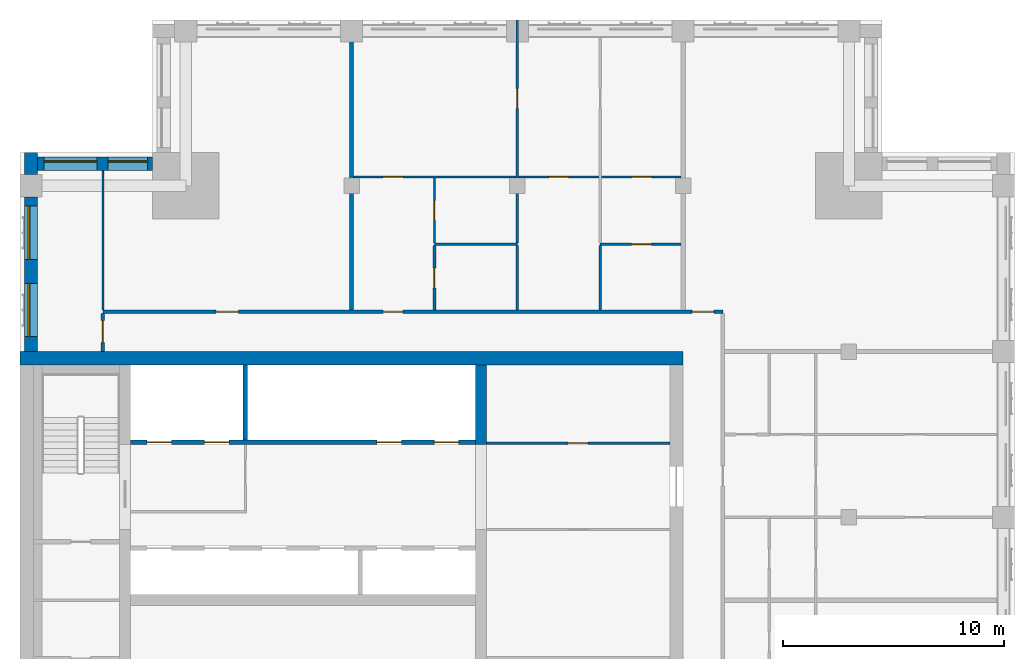
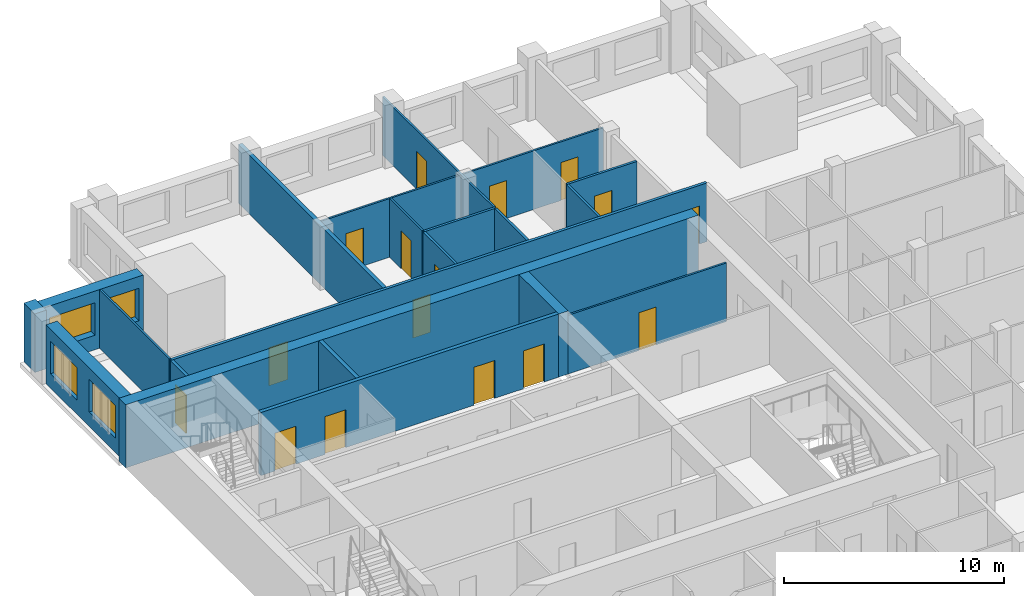
# One storey, part 6 of 10: 20 walls, 16 doors, 4 windows, 20 openings.
"""IFC4 building model written with IfcOpenShell, lengths in metres."""

from ifc_helpers import new_model, si_unit, direction, frame, frame_2d, origin, place, context, subcontext, project, spatial, rectangle, extrude, material, layer, layer_set, type_object, element, fill, save


model = new_model("IFC4")

# Units and contexts
model_context = context("Model", 3, precision=1e-05, world=origin(), true_north=direction((0.0, 1.0)))
body_context = subcontext(model_context, "Body", "Model", "MODEL_VIEW")
ifc_project = project(units=[si_unit("LENGTHUNIT", "METRE"), si_unit("AREAUNIT", "SQUARE_METRE"), si_unit("VOLUMEUNIT", "CUBIC_METRE"), si_unit("PLANEANGLEUNIT", "RADIAN"), si_unit("MASSUNIT", "GRAM", prefix="KILO")], contexts=[model_context])

# Site, building, storey
site_placement = place(None, origin())
site = spatial("IfcSite", under=ifc_project, at=site_placement, CompositionType="ELEMENT")
building_placement = place(site_placement, origin())
building = spatial("IfcBuilding", under=site, at=building_placement, Name="Tamorin Gate", CompositionType="ELEMENT")
storey_placement = place(building_placement, frame((0.0, 0.0, 269.699951171875)))
storey = spatial("IfcBuildingStorey", under=building, at=storey_placement, Name="L67", CompositionType="ELEMENT", Elevation=269.699951171875)

# Wall, openings, windows
ifc_material_1 = material(Name="Precast concrete C40/50", Category="concrete")
ifc_layer_1 = layer(ifc_material_1, 0.60009765625)
ifc_layer_set_1 = layer_set([ifc_layer_1], Name="Precast concrete C40/50")
wall_type_1 = type_object("IfcWallType", Name="Board-marked concrete facade panel 600", PredefinedType="SOLIDWALL", material=ifc_layer_set_1)
wall_1_placement = place(storey_placement, frame((36.0, 91.0, 0.0), z_axis=(0.0, 0.0, 1.0), x_axis=(-1.0, 0.0, 0.0)))
wall_1 = element("IfcWall", 1, at=wall_1_placement, inside=storey, type_object=wall_type_1, Name="Facade panel", PredefinedType="SOLIDWALL", context=body_context, shape_type="SweptSolid", body=[
    extrude(rectangle(XDim=5.199951171875, YDim=0.60009765625, at=frame_2d((2.60009765625, 0.0))), origin(), (0.0, 0.0, 1.0), 3.25),
])
opening_1_placement = place(wall_1_placement, frame((2.52490234375, 0.0, 0.800048828125)))
opening_1 = element("IfcOpeningElement", 2, at=opening_1_placement, cuts=wall_1, Name="Opening WN1", PredefinedType="OPENING", context=body_context, shape_type="SweptSolid", body=[
    extrude(rectangle(XDim=2.39990234375, YDim=1.800048828125, at=frame_2d((1.199951171875, 0.89990234375))), frame((0.0, 0.31005859375, 0.0), z_axis=(0.0, -1.0, 0.0), x_axis=(1.0, 0.0, 0.0)), (0.0, 0.0, 1.0), 0.6201171875),
])
opening_2_placement = place(wall_1_placement, frame((0.22509765625, 0.0, 0.800048828125)))
opening_2 = element("IfcOpeningElement", 3, at=opening_2_placement, cuts=wall_1, Name="Opening WN2", PredefinedType="OPENING", context=body_context, shape_type="SweptSolid", body=[
    extrude(rectangle(XDim=1.800048828125, YDim=1.800048828125, at=frame_2d((0.89990234375, 0.89990234375))), frame((0.0, 0.31005859375, 0.0), z_axis=(0.0, -1.0, 0.0), x_axis=(1.0, 0.0, 0.0)), (0.0, 0.0, 1.0), 0.6201171875),
])
ifc_material_2 = material(Name="Clear glass in aluminium frame", Category="aluminium")
window_type_1 = type_object("IfcWindowType", Name="Deep-set window 1800x1800", PartitioningType="SINGLE_PANEL", PredefinedType="WINDOW", material=ifc_material_2)
window_1_placement = place(opening_2_placement, origin())
window_1 = element("IfcWindow", 4, at=window_1_placement, inside=storey, type_object=window_type_1, Name="Deep-set window", OverallHeight=1.800048828125, OverallWidth=1.800048828125, PartitioningType="SINGLE_PANEL", PredefinedType="WINDOW", context=body_context, shape_type="SweptSolid", body=[
    extrude(rectangle(XDim=1.800048828125, YDim=1.800048828125, at=frame_2d((0.89990234375, 0.89990234375))), frame((0.0, -0.070068359375, 0.0), z_axis=(0.0, -1.0, 0.0), x_axis=(1.0, 0.0, 0.0)), (0.0, 0.0, 1.0), 0.06005859375),
])
fill(opening_2, window_1)
window_type_2 = type_object("IfcWindowType", Name="Deep-set window 2400x1800", PartitioningType="SINGLE_PANEL", PredefinedType="WINDOW", material=ifc_material_2)
window_2_placement = place(opening_1_placement, origin())
window_2 = element("IfcWindow", 5, at=window_2_placement, inside=storey, type_object=window_type_2, Name="Deep-set window", OverallHeight=1.800048828125, OverallWidth=2.39990234375, PartitioningType="SINGLE_PANEL", PredefinedType="WINDOW", context=body_context, shape_type="SweptSolid", body=[
    extrude(rectangle(XDim=2.39990234375, YDim=1.800048828125, at=frame_2d((1.199951171875, 0.89990234375))), frame((0.0, -0.070068359375, 0.0), z_axis=(0.0, -1.0, 0.0), x_axis=(1.0, 0.0, 0.0)), (0.0, 0.0, 1.0), 0.06005859375),
])
fill(opening_1, window_2)

# Wall
wall_2_placement = place(storey_placement, frame((30.5, 91.5, 0.0), z_axis=(0.0, 0.0, 1.0), x_axis=(0.0, -1.0, 0.0)))
element("IfcWall", 6, at=wall_2_placement, inside=storey, type_object=wall_type_1, Name="Facade panel", PredefinedType="SOLIDWALL", context=body_context, shape_type="SweptSolid", body=[
    extrude(rectangle(XDim=1.0, YDim=0.60009765625, at=frame_2d((0.5, 0.0))), origin(), (0.0, 0.0, 1.0), 3.25),
])

# Wall, openings, windows
wall_3_placement = place(storey_placement, frame((30.5, 89.5, 0.0), z_axis=(0.0, 0.0, 1.0), x_axis=(0.0, -1.0, 0.0)))
wall_3 = element("IfcWall", 7, at=wall_3_placement, inside=storey, type_object=wall_type_1, Name="Facade panel", PredefinedType="SOLIDWALL", context=body_context, shape_type="SweptSolid", body=[
    extrude(rectangle(XDim=7.0, YDim=0.60009765625, at=frame_2d((3.5, 0.0))), origin(), (0.0, 0.0, 1.0), 3.25),
])
opening_3_placement = place(wall_3_placement, frame((3.925048828125, 0.0, 0.800048828125)))
opening_3 = element("IfcOpeningElement", 8, at=opening_3_placement, cuts=wall_3, Name="Opening WN1", PredefinedType="OPENING", context=body_context, shape_type="SweptSolid", body=[
    extrude(rectangle(XDim=2.39990234375, YDim=1.800048828125, at=frame_2d((1.199951171875, 0.89990234375))), frame((0.0, 0.31005859375, 0.0), z_axis=(0.0, -1.0, 0.0), x_axis=(1.0, 0.0, 0.0)), (0.0, 0.0, 1.0), 0.6201171875),
])
opening_4_placement = place(wall_3_placement, frame((0.425048828125, 0.0, 0.800048828125)))
opening_4 = element("IfcOpeningElement", 9, at=opening_4_placement, cuts=wall_3, Name="Opening WN1", PredefinedType="OPENING", context=body_context, shape_type="SweptSolid", body=[
    extrude(rectangle(XDim=2.39990234375, YDim=1.800048828125, at=frame_2d((1.199951171875, 0.89990234375))), frame((0.0, 0.31005859375, 0.0), z_axis=(0.0, -1.0, 0.0), x_axis=(1.0, 0.0, 0.0)), (0.0, 0.0, 1.0), 0.6201171875),
])
window_3_placement = place(opening_3_placement, origin())
window_3 = element("IfcWindow", 10, at=window_3_placement, inside=storey, type_object=window_type_2, Name="Deep-set window", OverallHeight=1.800048828125, OverallWidth=2.39990234375, PartitioningType="SINGLE_PANEL", PredefinedType="WINDOW", context=body_context, shape_type="SweptSolid", body=[
    extrude(rectangle(XDim=2.39990234375, YDim=1.800048828125, at=frame_2d((1.199951171875, 0.89990234375))), frame((0.0, -0.070068359375, 0.0), z_axis=(0.0, -1.0, 0.0), x_axis=(1.0, 0.0, 0.0)), (0.0, 0.0, 1.0), 0.06005859375),
])
fill(opening_3, window_3)
window_4_placement = place(opening_4_placement, origin())
window_4 = element("IfcWindow", 11, at=window_4_placement, inside=storey, type_object=window_type_2, Name="Deep-set window", OverallHeight=1.800048828125, OverallWidth=2.39990234375, PartitioningType="SINGLE_PANEL", PredefinedType="WINDOW", context=body_context, shape_type="SweptSolid", body=[
    extrude(rectangle(XDim=2.39990234375, YDim=1.800048828125, at=frame_2d((1.199951171875, 0.89990234375))), frame((0.0, -0.070068359375, 0.0), z_axis=(0.0, -1.0, 0.0), x_axis=(1.0, 0.0, 0.0)), (0.0, 0.0, 1.0), 0.06005859375),
])
fill(opening_4, window_4)

# Wall, openings, doors
ifc_material_3 = material(Name="Gypsum board partition")
ifc_layer_2 = layer(ifc_material_3, 0.14990234375)
ifc_layer_set_2 = layer_set([ifc_layer_2], Name="Corridor wall 150")
wall_type_2 = type_object("IfcWallType", Name="Corridor wall 150", PredefinedType="PARTITIONING", material=ifc_layer_set_2)
wall_4_placement = place(storey_placement, frame((33.75, 84.300048828125, 0.0), z_axis=(0.0, 0.0, 1.0), x_axis=(1.0, 0.0, 0.0)))
wall_4 = element("IfcWall", 12, at=wall_4_placement, inside=storey, type_object=wall_type_2, Name="Corridor wall 150", PredefinedType="PARTITIONING", context=body_context, shape_type="SweptSolid", body=[
    extrude(rectangle(XDim=28.050048828125, YDim=0.14990234375, at=frame_2d((14.02490234375, 0.0))), origin(), (0.0, 0.0, 1.0), 3.25),
])
opening_5_placement = place(wall_4_placement, frame((5.125, 0.0, 0.0)))
opening_5 = element("IfcOpeningElement", 13, at=opening_5_placement, cuts=wall_4, Name="Opening DR9018", PredefinedType="OPENING", context=body_context, shape_type="SweptSolid", body=[
    extrude(rectangle(XDim=1.0, YDim=2.10009765625, at=frame_2d((0.5, 1.050048828125))), frame((0.0, 0.0849609375, 0.0), z_axis=(0.0, -1.0, 0.0), x_axis=(1.0, 0.0, 0.0)), (0.0, 0.0, 1.0), 0.169921875),
])
opening_6_placement = place(wall_4_placement, frame((12.675048828125, 0.0, 0.0)))
opening_6 = element("IfcOpeningElement", 14, at=opening_6_placement, cuts=wall_4, Name="Opening DR9019", PredefinedType="OPENING", context=body_context, shape_type="SweptSolid", body=[
    extrude(rectangle(XDim=0.89990234375, YDim=2.10009765625, at=frame_2d((0.449951171875, 1.050048828125))), frame((0.0, 0.0849609375, 0.0), z_axis=(0.0, -1.0, 0.0), x_axis=(1.0, 0.0, 0.0)), (0.0, 0.0, 1.0), 0.169921875),
])
opening_7_placement = place(wall_4_placement, frame((26.64990234375, 0.0, 0.0)))
opening_7 = element("IfcOpeningElement", 15, at=opening_7_placement, cuts=wall_4, Name="Opening DR9028", PredefinedType="OPENING", context=body_context, shape_type="SweptSolid", body=[
    extrude(rectangle(XDim=1.0, YDim=2.10009765625, at=frame_2d((0.5, 1.050048828125))), frame((0.0, 0.0849609375, 0.0), z_axis=(0.0, -1.0, 0.0), x_axis=(1.0, 0.0, 0.0)), (0.0, 0.0, 1.0), 0.169921875),
])
ifc_material_4 = material(Name="Timber door leaf", Category="wood")
door_type_1 = type_object("IfcDoorType", Name="Door 1000 x 2100 FD30S", OperationType="NOTDEFINED", PredefinedType="DOOR", material=ifc_material_4)
door_1_placement = place(opening_5_placement, origin())
door_1 = element("IfcDoor", 16, at=door_1_placement, inside=storey, type_object=door_type_1, Name="Door DR9018", OperationType="SINGLE_SWING_LEFT", OverallHeight=2.10009765625, OverallWidth=1.0, PredefinedType="DOOR", context=body_context, shape_type="SweptSolid", body=[
    extrude(rectangle(XDim=1.0, YDim=2.10009765625, at=frame_2d((0.5, 1.050048828125))), frame((0.0, 0.02490234375, 0.0), z_axis=(0.0, -1.0, 0.0), x_axis=(1.0, 0.0, 0.0)), (0.0, 0.0, 1.0), 0.050048828125),
])
fill(opening_5, door_1)
door_2_placement = place(opening_7_placement, origin())
door_2 = element("IfcDoor", 17, at=door_2_placement, inside=storey, type_object=door_type_1, Name="Door DR9028", OperationType="SINGLE_SWING_LEFT", OverallHeight=2.10009765625, OverallWidth=1.0, PredefinedType="DOOR", context=body_context, shape_type="SweptSolid", body=[
    extrude(rectangle(XDim=1.0, YDim=2.10009765625, at=frame_2d((0.5, 1.050048828125))), frame((0.0, 0.02490234375, 0.0), z_axis=(0.0, -1.0, 0.0), x_axis=(1.0, 0.0, 0.0)), (0.0, 0.0, 1.0), 0.050048828125),
])
fill(opening_7, door_2)
door_type_2 = type_object("IfcDoorType", Name="Door 900 x 2100 FD30S", OperationType="NOTDEFINED", PredefinedType="DOOR", material=ifc_material_4)
door_3_placement = place(opening_6_placement, origin())
door_3 = element("IfcDoor", 18, at=door_3_placement, inside=storey, type_object=door_type_2, Name="Door DR9019", OperationType="SINGLE_SWING_LEFT", OverallHeight=2.10009765625, OverallWidth=0.89990234375, PredefinedType="DOOR", context=body_context, shape_type="SweptSolid", body=[
    extrude(rectangle(XDim=0.89990234375, YDim=2.10009765625, at=frame_2d((0.449951171875, 1.050048828125))), frame((0.0, 0.02490234375, 0.0), z_axis=(0.0, -1.0, 0.0), x_axis=(1.0, 0.0, 0.0)), (0.0, 0.0, 1.0), 0.050048828125),
])
fill(opening_6, door_3)

# Wall, opening, door
wall_5_placement = place(storey_placement, frame((33.75, 82.5, 0.0), z_axis=(0.0, 0.0, 1.0), x_axis=(0.0, 1.0, 0.0)))
wall_5 = element("IfcWall", 19, at=wall_5_placement, inside=storey, type_object=wall_type_2, Name="Corridor wall 150", PredefinedType="PARTITIONING", context=body_context, shape_type="SweptSolid", body=[
    extrude(rectangle(XDim=1.72509765625, YDim=0.14990234375, at=frame_2d((0.862548828125, 0.0))), origin(), (0.0, 0.0, 1.0), 3.25),
])
opening_8_placement = place(wall_5_placement, frame((0.39990234375, 0.0, 0.0)))
opening_8 = element("IfcOpeningElement", 20, at=opening_8_placement, cuts=wall_5, Name="Opening DR9017", PredefinedType="OPENING", context=body_context, shape_type="SweptSolid", body=[
    extrude(rectangle(XDim=1.0, YDim=2.10009765625, at=frame_2d((0.5, 1.050048828125))), frame((0.0, 0.0849609375, 0.0), z_axis=(0.0, -1.0, 0.0), x_axis=(1.0, 0.0, 0.0)), (0.0, 0.0, 1.0), 0.169921875),
])
door_4_placement = place(opening_8_placement, origin())
door_4 = element("IfcDoor", 21, at=door_4_placement, inside=storey, type_object=door_type_1, Name="Door DR9017", OperationType="SINGLE_SWING_LEFT", OverallHeight=2.10009765625, OverallWidth=1.0, PredefinedType="DOOR", context=body_context, shape_type="SweptSolid", body=[
    extrude(rectangle(XDim=1.0, YDim=2.10009765625, at=frame_2d((0.5, 1.050048828125))), frame((0.0, 0.02490234375, 0.0), z_axis=(0.0, -1.0, 0.0), x_axis=(1.0, 0.0, 0.0)), (0.0, 0.0, 1.0), 0.050048828125),
])
fill(opening_8, door_4)

# Wall
ifc_layer_3 = layer(ifc_material_3, 0.199951171875)
ifc_layer_set_3 = layer_set([ifc_layer_3], Name="Demising wall 200")
wall_type_3 = type_object("IfcWallType", Name="Demising wall 200", PredefinedType="PARTITIONING", material=ifc_layer_set_3)
wall_6_placement = place(storey_placement, frame((45.0, 84.375, 0.0), z_axis=(0.0, 0.0, 1.0), x_axis=(0.0, 1.0, 0.0)))
element("IfcWall", 22, at=wall_6_placement, inside=storey, type_object=wall_type_3, Name="Demising wall 200", PredefinedType="PARTITIONING", context=body_context, shape_type="SweptSolid", body=[
    extrude(rectangle(XDim=13.125, YDim=0.199951171875, at=frame_2d((6.5625, 0.0))), origin(), (0.0, 0.0, 1.0), 3.25),
])

# Wall, openings, doors
ifc_material_5 = material(Name="Concrete C32/40", Category="concrete")
ifc_layer_4 = layer(ifc_material_5, 0.199951171875)
ifc_layer_set_4 = layer_set([ifc_layer_4], Name="Lift lobby face wall 200 EI 120")
wall_type_4 = type_object("IfcWallType", Name="Lift lobby face wall 200 EI 120", PredefinedType="SOLIDWALL", material=ifc_layer_set_4)
wall_7_placement = place(storey_placement, frame((35.0, 78.39990234375, 0.0), z_axis=(0.0, 0.0, 1.0), x_axis=(1.0, 0.0, 0.0)))
wall_7 = element("IfcWall", 23, at=wall_7_placement, inside=storey, type_object=wall_type_4, Name="Lift lobby face wall", PredefinedType="SOLIDWALL", context=body_context, shape_type="SweptSolid", body=[
    extrude(rectangle(XDim=15.60009765625, YDim=0.199951171875, at=frame_2d((7.800048828125, 0.0))), origin(), (0.0, 0.0, 1.0), 3.5),
])
opening_9_placement = place(wall_7_placement, frame((0.75, 0.0, 0.0)))
opening_9 = element("IfcOpeningElement", 24, at=opening_9_placement, cuts=wall_7, Name="Opening LD17", PredefinedType="OPENING", context=body_context, shape_type="SweptSolid", body=[
    extrude(rectangle(XDim=1.10009765625, YDim=2.10009765625, at=frame_2d((0.550048828125, 1.050048828125))), frame((0.0, 0.10986328125, 0.0), z_axis=(0.0, -1.0, 0.0), x_axis=(1.0, 0.0, 0.0)), (0.0, 0.0, 1.0), 0.219970703125),
])
opening_10_placement = place(wall_7_placement, frame((3.35009765625, 0.0, 0.0)))
opening_10 = element("IfcOpeningElement", 25, at=opening_10_placement, cuts=wall_7, Name="Opening LD18", PredefinedType="OPENING", context=body_context, shape_type="SweptSolid", body=[
    extrude(rectangle(XDim=1.10009765625, YDim=2.10009765625, at=frame_2d((0.550048828125, 1.050048828125))), frame((0.0, 0.10986328125, 0.0), z_axis=(0.0, -1.0, 0.0), x_axis=(1.0, 0.0, 0.0)), (0.0, 0.0, 1.0), 0.219970703125),
])
opening_11_placement = place(wall_7_placement, frame((11.14990234375, 0.0, 0.0)))
opening_11 = element("IfcOpeningElement", 26, at=opening_11_placement, cuts=wall_7, Name="Opening LD21", PredefinedType="OPENING", context=body_context, shape_type="SweptSolid", body=[
    extrude(rectangle(XDim=1.10009765625, YDim=2.10009765625, at=frame_2d((0.550048828125, 1.050048828125))), frame((0.0, 0.10986328125, 0.0), z_axis=(0.0, -1.0, 0.0), x_axis=(1.0, 0.0, 0.0)), (0.0, 0.0, 1.0), 0.219970703125),
])
opening_12_placement = place(wall_7_placement, frame((13.75, 0.0, 0.0)))
opening_12 = element("IfcOpeningElement", 27, at=opening_12_placement, cuts=wall_7, Name="Opening LD22", PredefinedType="OPENING", context=body_context, shape_type="SweptSolid", body=[
    extrude(rectangle(XDim=1.10009765625, YDim=2.10009765625, at=frame_2d((0.550048828125, 1.050048828125))), frame((0.0, 0.10986328125, 0.0), z_axis=(0.0, -1.0, 0.0), x_axis=(1.0, 0.0, 0.0)), (0.0, 0.0, 1.0), 0.219970703125),
])
ifc_material_6 = material(Name="Stainless steel sliding door", Category="steel")
door_type_3 = type_object("IfcDoorType", Name="Lift landing door 1100 x 2100 E 90", OperationType="DOUBLE_DOOR_SLIDING", PredefinedType="DOOR", material=ifc_material_6)
door_5_placement = place(opening_9_placement, origin())
door_5 = element("IfcDoor", 28, at=door_5_placement, inside=storey, type_object=door_type_3, Name="FF1 landing door", OperationType="DOUBLE_DOOR_SLIDING", OverallHeight=2.10009765625, OverallWidth=1.10009765625, PredefinedType="DOOR", context=body_context, shape_type="SweptSolid", body=[
    extrude(rectangle(XDim=1.10009765625, YDim=2.10009765625, at=frame_2d((0.550048828125, 1.050048828125))), frame((0.0, 0.02490234375, 0.0), z_axis=(0.0, -1.0, 0.0), x_axis=(1.0, 0.0, 0.0)), (0.0, 0.0, 1.0), 0.050048828125),
])
fill(opening_9, door_5)
door_6_placement = place(opening_10_placement, origin())
door_6 = element("IfcDoor", 29, at=door_6_placement, inside=storey, type_object=door_type_3, Name="FF2 landing door", OperationType="DOUBLE_DOOR_SLIDING", OverallHeight=2.10009765625, OverallWidth=1.10009765625, PredefinedType="DOOR", context=body_context, shape_type="SweptSolid", body=[
    extrude(rectangle(XDim=1.10009765625, YDim=2.10009765625, at=frame_2d((0.550048828125, 1.050048828125))), frame((0.0, 0.02490234375, 0.0), z_axis=(0.0, -1.0, 0.0), x_axis=(1.0, 0.0, 0.0)), (0.0, 0.0, 1.0), 0.050048828125),
])
fill(opening_10, door_6)
door_7_placement = place(opening_11_placement, origin())
door_7 = element("IfcDoor", 30, at=door_7_placement, inside=storey, type_object=door_type_3, Name="SV1 landing door", OperationType="DOUBLE_DOOR_SLIDING", OverallHeight=2.10009765625, OverallWidth=1.10009765625, PredefinedType="DOOR", context=body_context, shape_type="SweptSolid", body=[
    extrude(rectangle(XDim=1.10009765625, YDim=2.10009765625, at=frame_2d((0.550048828125, 1.050048828125))), frame((0.0, 0.02490234375, 0.0), z_axis=(0.0, -1.0, 0.0), x_axis=(1.0, 0.0, 0.0)), (0.0, 0.0, 1.0), 0.050048828125),
])
fill(opening_11, door_7)
door_8_placement = place(opening_12_placement, origin())
door_8 = element("IfcDoor", 31, at=door_8_placement, inside=storey, type_object=door_type_3, Name="SV2 landing door", OperationType="DOUBLE_DOOR_SLIDING", OverallHeight=2.10009765625, OverallWidth=1.10009765625, PredefinedType="DOOR", context=body_context, shape_type="SweptSolid", body=[
    extrude(rectangle(XDim=1.10009765625, YDim=2.10009765625, at=frame_2d((0.550048828125, 1.050048828125))), frame((0.0, 0.02490234375, 0.0), z_axis=(0.0, -1.0, 0.0), x_axis=(1.0, 0.0, 0.0)), (0.0, 0.0, 1.0), 0.050048828125),
])
fill(opening_12, door_8)

# Walls
ifc_layer_5 = layer(ifc_material_5, 0.199951171875)
ifc_layer_set_5 = layer_set([ifc_layer_5], Name="Lift shaft wall 200 EI 120")
wall_type_5 = type_object("IfcWallType", Name="Lift shaft wall 200 EI 120", PredefinedType="SOLIDWALL", material=ifc_layer_set_5)
wall_8_placement = place(storey_placement, frame((40.199951171875, 78.5, 0.0), z_axis=(0.0, 0.0, 1.0), x_axis=(0.0, 1.0, 0.0)))
element("IfcWall", 32, at=wall_8_placement, inside=storey, type_object=wall_type_5, Name="Lift shaft wall", PredefinedType="SOLIDWALL", context=body_context, shape_type="SweptSolid", body=[
    extrude(rectangle(XDim=3.39990234375, YDim=0.199951171875, at=frame_2d((1.699951171875, 0.0))), origin(), (0.0, 0.0, 1.0), 3.5),
])
ifc_material_7 = material(Name="Concrete C50/60", Category="concrete")
ifc_layer_6 = layer(ifc_material_7, 0.5)
ifc_layer_set_6 = layer_set([ifc_layer_6], Name="RC core internal wall 500 C50/60")
wall_type_6 = type_object("IfcWallType", Name="RC core internal wall 500 C50/60", PredefinedType="SHEAR", material=ifc_layer_set_6)
wall_9_placement = place(storey_placement, frame((50.85009765625, 78.300048828125, 0.0), z_axis=(0.0, 0.0, 1.0), x_axis=(0.0, 1.0, 0.0)))
element("IfcWall", 33, at=wall_9_placement, inside=storey, type_object=wall_type_6, Name="Core cross wall L67", PredefinedType="SHEAR", context=body_context, shape_type="SweptSolid", body=[
    extrude(rectangle(XDim=3.599853515625, YDim=0.5, at=frame_2d((1.7998046875, 0.0))), origin(), (0.0, 0.0, 1.0), 3.5),
])
ifc_layer_7 = layer(ifc_material_7, 0.60009765625)
ifc_layer_set_7 = layer_set([ifc_layer_7], Name="RC core wall 600 C50/60")
wall_type_7 = type_object("IfcWallType", Name="RC core wall 600 C50/60", PredefinedType="SHEAR", material=ifc_layer_set_7)
wall_10_placement = place(storey_placement, frame((30.0, 82.199951171875, 0.0), z_axis=(0.0, 0.0, 1.0), x_axis=(1.0, 0.0, 0.0)))
element("IfcWall", 34, at=wall_10_placement, inside=storey, type_object=wall_type_7, Name="Core wall L67", PredefinedType="SHEAR", context=body_context, shape_type="SweptSolid", body=[
    extrude(rectangle(XDim=30.0, YDim=0.60009765625, at=frame_2d((15.0, 0.0))), origin(), (0.0, 0.0, 1.0), 3.5),
])

# Wall, openings, doors
ifc_layer_8 = layer(ifc_material_3, 0.10009765625)
ifc_layer_set_8 = layer_set([ifc_layer_8], Name="Room partition 100")
wall_type_8 = type_object("IfcWallType", Name="Room partition 100", PredefinedType="PARTITIONING", material=ifc_layer_set_8)
wall_11_placement = place(storey_placement, frame((45.10009765625, 90.39990234375, 0.0), z_axis=(0.0, 0.0, 1.0), x_axis=(1.0, 0.0, 0.0)))
wall_11 = element("IfcWall", 35, at=wall_11_placement, inside=storey, type_object=wall_type_8, Name="Room partition 100", PredefinedType="PARTITIONING", context=body_context, shape_type="SweptSolid", body=[
    extrude(rectangle(XDim=14.7998046875, YDim=0.10009765625, at=frame_2d((7.39990234375, 0.0))), origin(), (0.0, 0.0, 1.0), 3.25),
])
opening_13_placement = place(wall_11_placement, frame((1.324951171875, 0.0, 0.0)))
opening_13 = element("IfcOpeningElement", 36, at=opening_13_placement, cuts=wall_11, Name="Opening DR9020", PredefinedType="OPENING", context=body_context, shape_type="SweptSolid", body=[
    extrude(rectangle(XDim=0.89990234375, YDim=2.10009765625, at=frame_2d((0.449951171875, 1.050048828125))), frame((0.0, 0.06005859375, 0.0), z_axis=(0.0, -1.0, 0.0), x_axis=(1.0, 0.0, 0.0)), (0.0, 0.0, 1.0), 0.1201171875),
])
opening_14_placement = place(wall_11_placement, frame((8.824951171875, 0.0, 0.0)))
opening_14 = element("IfcOpeningElement", 37, at=opening_14_placement, cuts=wall_11, Name="Opening DR9023", PredefinedType="OPENING", context=body_context, shape_type="SweptSolid", body=[
    extrude(rectangle(XDim=0.89990234375, YDim=2.10009765625, at=frame_2d((0.449951171875, 1.050048828125))), frame((0.0, 0.06005859375, 0.0), z_axis=(0.0, -1.0, 0.0), x_axis=(1.0, 0.0, 0.0)), (0.0, 0.0, 1.0), 0.1201171875),
])
opening_15_placement = place(wall_11_placement, frame((12.574951171875, 0.0, 0.0)))
opening_15 = element("IfcOpeningElement", 38, at=opening_15_placement, cuts=wall_11, Name="Opening DR9024", PredefinedType="OPENING", context=body_context, shape_type="SweptSolid", body=[
    extrude(rectangle(XDim=0.89990234375, YDim=2.10009765625, at=frame_2d((0.449951171875, 1.050048828125))), frame((0.0, 0.06005859375, 0.0), z_axis=(0.0, -1.0, 0.0), x_axis=(1.0, 0.0, 0.0)), (0.0, 0.0, 1.0), 0.1201171875),
])
door_type_4 = type_object("IfcDoorType", Name="Door 900 x 2100", OperationType="NOTDEFINED", PredefinedType="DOOR", material=ifc_material_4)
door_9_placement = place(opening_13_placement, origin())
door_9 = element("IfcDoor", 39, at=door_9_placement, inside=storey, type_object=door_type_4, Name="Door DR9020", OperationType="SINGLE_SWING_RIGHT", OverallHeight=2.10009765625, OverallWidth=0.89990234375, PredefinedType="DOOR", context=body_context, shape_type="SweptSolid", body=[
    extrude(rectangle(XDim=0.89990234375, YDim=2.10009765625, at=frame_2d((0.449951171875, 1.050048828125))), frame((0.0, 0.02490234375, 0.0), z_axis=(0.0, -1.0, 0.0), x_axis=(1.0, 0.0, 0.0)), (0.0, 0.0, 1.0), 0.050048828125),
])
fill(opening_13, door_9)
door_10_placement = place(opening_14_placement, origin())
door_10 = element("IfcDoor", 40, at=door_10_placement, inside=storey, type_object=door_type_4, Name="Door DR9023", OperationType="SINGLE_SWING_RIGHT", OverallHeight=2.10009765625, OverallWidth=0.89990234375, PredefinedType="DOOR", context=body_context, shape_type="SweptSolid", body=[
    extrude(rectangle(XDim=0.89990234375, YDim=2.10009765625, at=frame_2d((0.449951171875, 1.050048828125))), frame((0.0, 0.02490234375, 0.0), z_axis=(0.0, -1.0, 0.0), x_axis=(1.0, 0.0, 0.0)), (0.0, 0.0, 1.0), 0.050048828125),
])
fill(opening_14, door_10)
door_11_placement = place(opening_15_placement, origin())
door_11 = element("IfcDoor", 41, at=door_11_placement, inside=storey, type_object=door_type_4, Name="Door DR9024", OperationType="SINGLE_SWING_RIGHT", OverallHeight=2.10009765625, OverallWidth=0.89990234375, PredefinedType="DOOR", context=body_context, shape_type="SweptSolid", body=[
    extrude(rectangle(XDim=0.89990234375, YDim=2.10009765625, at=frame_2d((0.449951171875, 1.050048828125))), frame((0.0, 0.02490234375, 0.0), z_axis=(0.0, -1.0, 0.0), x_axis=(1.0, 0.0, 0.0)), (0.0, 0.0, 1.0), 0.050048828125),
])
fill(opening_15, door_11)

# Wall
wall_12_placement = place(storey_placement, frame((33.75, 84.375, 0.0), z_axis=(0.0, 0.0, 1.0), x_axis=(0.0, 1.0, 0.0)))
element("IfcWall", 42, at=wall_12_placement, inside=storey, type_object=wall_type_8, Name="Room partition 100", PredefinedType="PARTITIONING", context=body_context, shape_type="SweptSolid", body=[
    extrude(rectangle(XDim=6.31494140625, YDim=0.10009765625, at=frame_2d((3.157470703125, 0.0))), origin(), (0.0, 0.0, 1.0), 3.25),
])

# Wall, opening, door
wall_13_placement = place(storey_placement, frame((48.75, 87.41259765625, 0.0), z_axis=(0.0, 0.0, 1.0), x_axis=(0.0, 1.0, 0.0)))
wall_13 = element("IfcWall", 43, at=wall_13_placement, inside=storey, type_object=wall_type_8, Name="Room partition 100", PredefinedType="PARTITIONING", context=body_context, shape_type="SweptSolid", body=[
    extrude(rectangle(XDim=2.9375, YDim=0.10009765625, at=frame_2d((1.46875, 0.0))), origin(), (0.0, 0.0, 1.0), 3.25),
])
opening_16_placement = place(wall_13_placement, frame((1.012451171875, 0.0, 0.0)))
opening_16 = element("IfcOpeningElement", 44, at=opening_16_placement, cuts=wall_13, Name="Opening DR9021", PredefinedType="OPENING", context=body_context, shape_type="SweptSolid", body=[
    extrude(rectangle(XDim=0.89990234375, YDim=2.10009765625, at=frame_2d((0.449951171875, 1.050048828125))), frame((0.0, 0.06005859375, 0.0), z_axis=(0.0, -1.0, 0.0), x_axis=(1.0, 0.0, 0.0)), (0.0, 0.0, 1.0), 0.1201171875),
])
door_12_placement = place(opening_16_placement, origin())
door_12 = element("IfcDoor", 45, at=door_12_placement, inside=storey, type_object=door_type_4, Name="Door DR9021", OperationType="SINGLE_SWING_RIGHT", OverallHeight=2.10009765625, OverallWidth=0.89990234375, PredefinedType="DOOR", context=body_context, shape_type="SweptSolid", body=[
    extrude(rectangle(XDim=0.89990234375, YDim=2.10009765625, at=frame_2d((0.449951171875, 1.050048828125))), frame((0.0, 0.02490234375, 0.0), z_axis=(0.0, -1.0, 0.0), x_axis=(1.0, 0.0, 0.0)), (0.0, 0.0, 1.0), 0.050048828125),
])
fill(opening_16, door_12)

wall_14_placement = place(storey_placement, frame((52.5, 87.41259765625, 0.0), z_axis=(0.0, 0.0, 1.0), x_axis=(0.0, 1.0, 0.0)))
wall_14 = element("IfcWall", 46, at=wall_14_placement, inside=storey, type_object=wall_type_8, Name="Room partition 100", PredefinedType="PARTITIONING", context=body_context, shape_type="SweptSolid", body=[
    extrude(rectangle(XDim=10.08740234375, YDim=0.10009765625, at=frame_2d((5.043701171875, 0.0))), origin(), (0.0, 0.0, 1.0), 3.25),
])
opening_17_placement = place(wall_14_placement, frame((6.08740234375, 0.0, 0.0)))
opening_17 = element("IfcOpeningElement", 47, at=opening_17_placement, cuts=wall_14, Name="Opening DR9026", PredefinedType="OPENING", context=body_context, shape_type="SweptSolid", body=[
    extrude(rectangle(XDim=0.89990234375, YDim=2.10009765625, at=frame_2d((0.449951171875, 1.050048828125))), frame((0.0, 0.06005859375, 0.0), z_axis=(0.0, -1.0, 0.0), x_axis=(1.0, 0.0, 0.0)), (0.0, 0.0, 1.0), 0.1201171875),
])
door_13_placement = place(opening_17_placement, origin())
door_13 = element("IfcDoor", 48, at=door_13_placement, inside=storey, type_object=door_type_4, Name="Door DR9026", OperationType="SINGLE_SWING_RIGHT", OverallHeight=2.10009765625, OverallWidth=0.89990234375, PredefinedType="DOOR", context=body_context, shape_type="SweptSolid", body=[
    extrude(rectangle(XDim=0.89990234375, YDim=2.10009765625, at=frame_2d((0.449951171875, 1.050048828125))), frame((0.0, 0.02490234375, 0.0), z_axis=(0.0, -1.0, 0.0), x_axis=(1.0, 0.0, 0.0)), (0.0, 0.0, 1.0), 0.050048828125),
])
fill(opening_17, door_13)

ifc_layer_9 = layer(ifc_material_3, 0.10009765625)
ifc_layer_set_9 = layer_set([ifc_layer_9], Name="Service room partition 100 EI 60")
wall_type_9 = type_object("IfcWallType", Name="Service room partition 100 EI 60", PredefinedType="PARTITIONING", material=ifc_layer_set_9)
wall_15_placement = place(storey_placement, frame((51.10009765625, 78.35009765625, 0.0), z_axis=(0.0, 0.0, 1.0), x_axis=(1.0, 0.0, 0.0)))
wall_15 = element("IfcWall", 49, at=wall_15_placement, inside=storey, type_object=wall_type_9, Name="Service room wall", PredefinedType="PARTITIONING", context=body_context, shape_type="SweptSolid", body=[
    extrude(rectangle(XDim=8.2998046875, YDim=0.10009765625, at=frame_2d((4.14990234375, 0.0))), origin(), (0.0, 0.0, 1.0), 3.25),
])
opening_18_placement = place(wall_15_placement, frame((3.699951171875, 0.0, 0.0)))
opening_18 = element("IfcOpeningElement", 50, at=opening_18_placement, cuts=wall_15, Name="Opening DK1", PredefinedType="OPENING", context=body_context, shape_type="SweptSolid", body=[
    extrude(rectangle(XDim=0.89990234375, YDim=2.10009765625, at=frame_2d((0.449951171875, 1.050048828125))), frame((0.0, 0.06005859375, 0.0), z_axis=(0.0, -1.0, 0.0), x_axis=(1.0, 0.0, 0.0)), (0.0, 0.0, 1.0), 0.1201171875),
])
ifc_material_8 = material(Name="Timber fire door", Category="wood")
door_type_5 = type_object("IfcDoorType", Name="Service room door 900 x 2100 EI 60", OperationType="SINGLE_SWING_LEFT", PredefinedType="DOOR", material=ifc_material_8)
door_14_placement = place(opening_18_placement, origin())
door_14 = element("IfcDoor", 51, at=door_14_placement, inside=storey, type_object=door_type_5, Name="Door Store", OperationType="SINGLE_SWING_LEFT", OverallHeight=2.10009765625, OverallWidth=0.89990234375, PredefinedType="DOOR", context=body_context, shape_type="SweptSolid", body=[
    extrude(rectangle(XDim=0.89990234375, YDim=2.10009765625, at=frame_2d((0.449951171875, 1.050048828125))), frame((0.0, 0.02490234375, 0.0), z_axis=(0.0, -1.0, 0.0), x_axis=(1.0, 0.0, 0.0)), (0.0, 0.0, 1.0), 0.050048828125),
])
fill(opening_18, door_14)

# Wall
ifc_layer_10 = layer(ifc_material_3, 0.125)
ifc_layer_set_10 = layer_set([ifc_layer_10], Name="Wet wall 125")
wall_type_10 = type_object("IfcWallType", Name="Wet wall 125", PredefinedType="PARTITIONING", material=ifc_layer_set_10)
wall_16_placement = place(storey_placement, frame((48.75, 87.35009765625, 0.0), z_axis=(0.0, 0.0, 1.0), x_axis=(1.0, 0.0, 0.0)))
element("IfcWall", 52, at=wall_16_placement, inside=storey, type_object=wall_type_10, Name="Wet wall 125", PredefinedType="PARTITIONING", context=body_context, shape_type="SweptSolid", body=[
    extrude(rectangle(XDim=3.75, YDim=0.125, at=frame_2d((1.875, 0.0))), origin(), (0.0, 0.0, 1.0), 3.25),
])

# Wall, opening, door
wall_17_placement = place(storey_placement, frame((56.25, 87.35009765625, 0.0), z_axis=(0.0, 0.0, 1.0), x_axis=(1.0, 0.0, 0.0)))
wall_17 = element("IfcWall", 53, at=wall_17_placement, inside=storey, type_object=wall_type_10, Name="Wet wall 125", PredefinedType="PARTITIONING", context=body_context, shape_type="SweptSolid", body=[
    extrude(rectangle(XDim=3.64990234375, YDim=0.125, at=frame_2d((1.824951171875, 0.0))), origin(), (0.0, 0.0, 1.0), 3.25),
])
opening_19_placement = place(wall_17_placement, frame((1.425048828125, 0.0, 0.0)))
opening_19 = element("IfcOpeningElement", 54, at=opening_19_placement, cuts=wall_17, Name="Opening DR9025", PredefinedType="OPENING", context=body_context, shape_type="SweptSolid", body=[
    extrude(rectangle(XDim=0.89990234375, YDim=2.10009765625, at=frame_2d((0.449951171875, 1.050048828125))), frame((0.0, 0.072509765625, 0.0), z_axis=(0.0, -1.0, 0.0), x_axis=(1.0, 0.0, 0.0)), (0.0, 0.0, 1.0), 0.14501953125),
])
door_15_placement = place(opening_19_placement, origin())
door_15 = element("IfcDoor", 55, at=door_15_placement, inside=storey, type_object=door_type_4, Name="Door DR9025", OperationType="SINGLE_SWING_RIGHT", OverallHeight=2.10009765625, OverallWidth=0.89990234375, PredefinedType="DOOR", context=body_context, shape_type="SweptSolid", body=[
    extrude(rectangle(XDim=0.89990234375, YDim=2.10009765625, at=frame_2d((0.449951171875, 1.050048828125))), frame((0.0, 0.02490234375, 0.0), z_axis=(0.0, -1.0, 0.0), x_axis=(1.0, 0.0, 0.0)), (0.0, 0.0, 1.0), 0.050048828125),
])
fill(opening_19, door_15)

wall_18_placement = place(storey_placement, frame((48.75, 84.375, 0.0), z_axis=(0.0, 0.0, 1.0), x_axis=(0.0, 1.0, 0.0)))
wall_18 = element("IfcWall", 56, at=wall_18_placement, inside=storey, type_object=wall_type_10, Name="Wet wall 125", PredefinedType="PARTITIONING", context=body_context, shape_type="SweptSolid", body=[
    extrude(rectangle(XDim=2.91259765625, YDim=0.125, at=frame_2d((1.456298828125, 0.0))), origin(), (0.0, 0.0, 1.0), 3.25),
])
opening_20_placement = place(wall_18_placement, frame((1.0, 0.0, 0.0)))
opening_20 = element("IfcOpeningElement", 57, at=opening_20_placement, cuts=wall_18, Name="Opening DR9022", PredefinedType="OPENING", context=body_context, shape_type="SweptSolid", body=[
    extrude(rectangle(XDim=0.89990234375, YDim=2.10009765625, at=frame_2d((0.449951171875, 1.050048828125))), frame((0.0, 0.072509765625, 0.0), z_axis=(0.0, -1.0, 0.0), x_axis=(1.0, 0.0, 0.0)), (0.0, 0.0, 1.0), 0.14501953125),
])
door_16_placement = place(opening_20_placement, origin())
door_16 = element("IfcDoor", 58, at=door_16_placement, inside=storey, type_object=door_type_4, Name="Door DR9022", OperationType="SINGLE_SWING_LEFT", OverallHeight=2.10009765625, OverallWidth=0.89990234375, PredefinedType="DOOR", context=body_context, shape_type="SweptSolid", body=[
    extrude(rectangle(XDim=0.89990234375, YDim=2.10009765625, at=frame_2d((0.449951171875, 1.050048828125))), frame((0.0, 0.02490234375, 0.0), z_axis=(0.0, -1.0, 0.0), x_axis=(1.0, 0.0, 0.0)), (0.0, 0.0, 1.0), 0.050048828125),
])
fill(opening_20, door_16)

# Walls
for number, where, z_axis, x_axis, name in (
    (59, (52.5, 84.375, 0.0), (0.0, 0.0, 1.0), (0.0, 1.0, 0.0), "Wet wall 125"),
    (60, (56.25, 84.375, 0.0), (0.0, 0.0, 1.0), (0.0, 1.0, 0.0), "Wet wall 125"),
):
    element("IfcWall", number, at=place(storey_placement, frame(where, z_axis=z_axis, x_axis=x_axis)), inside=storey, type_object=wall_type_10, Name=name, PredefinedType="PARTITIONING", context=body_context, shape_type="SweptSolid", body=[
        extrude(rectangle(XDim=2.91259765625, YDim=0.125, at=frame_2d((1.456298828125, 0.0))), origin(), (0.0, 0.0, 1.0), 3.25),
    ])

save(model, "model.ifc")
